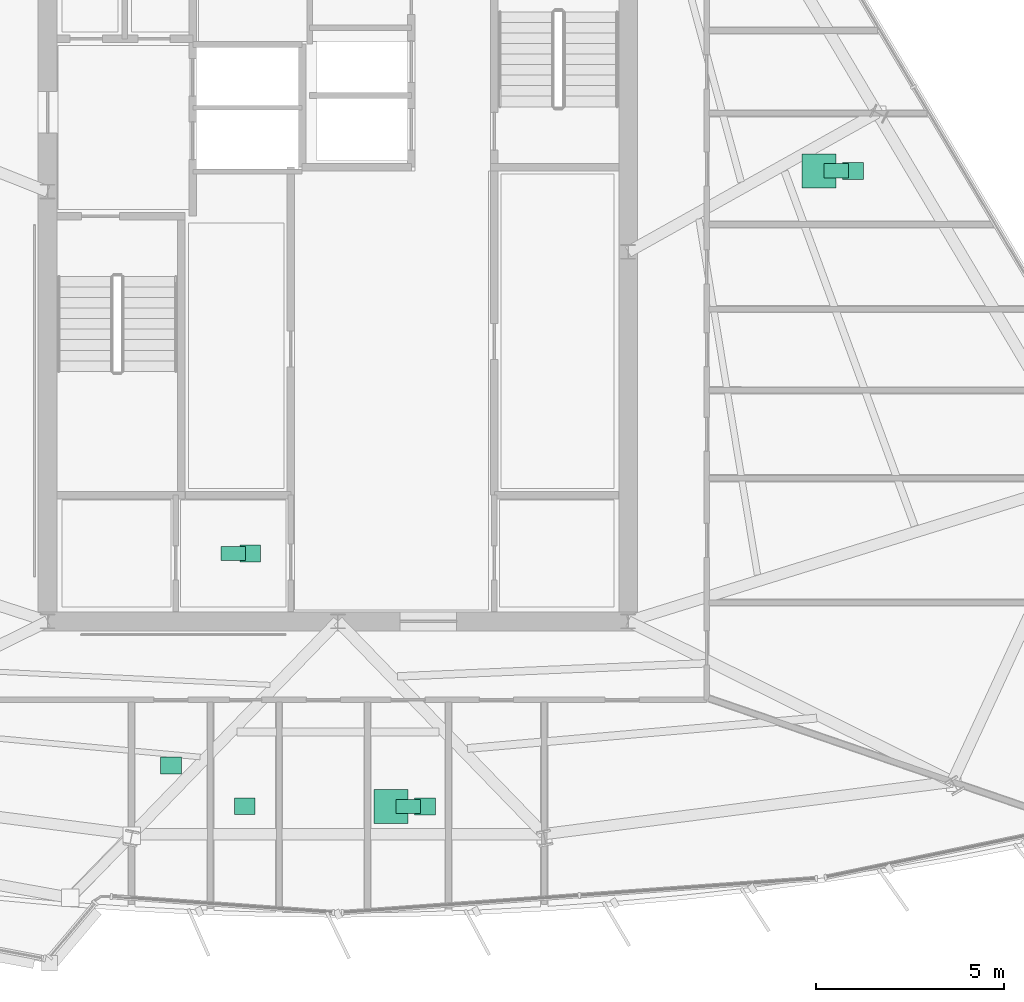
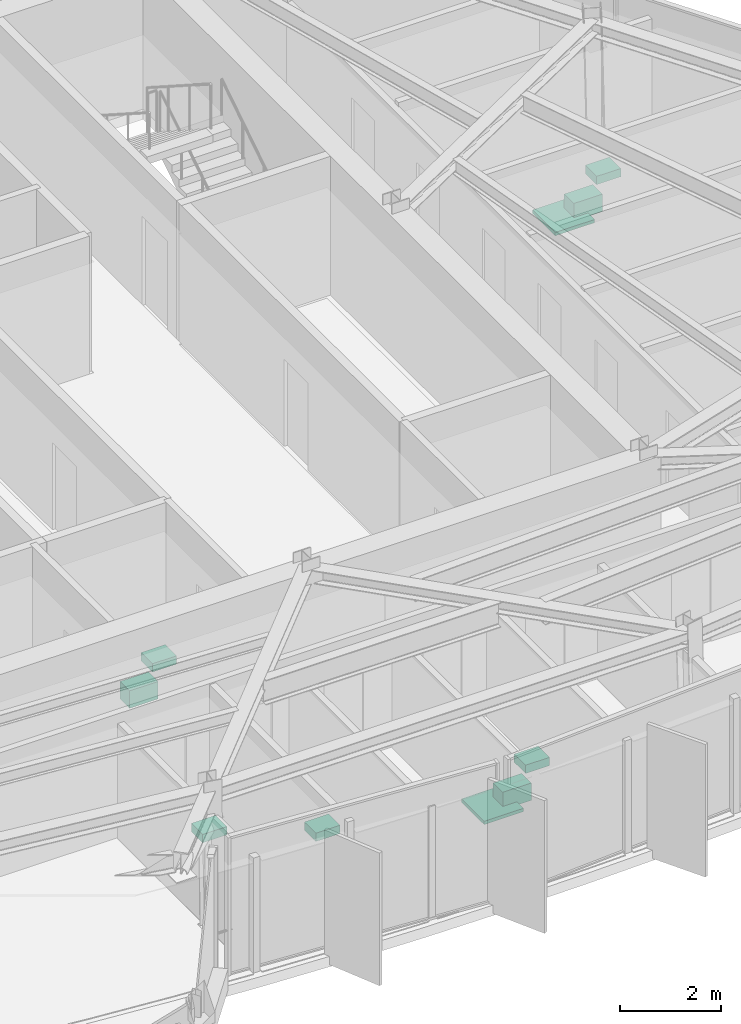
# One storey, part 14 of 14: 10 sanitary terminals.
"""IFC4 building model written with IfcOpenShell, lengths in metres."""

from ifc_helpers import new_model, si_unit, direction, frame, origin, origin_2d, place, context, subcontext, project, spatial, rectangle, extrude, material, type_object, element, save


model = new_model("IFC4")

# Units and contexts
model_context = context("Model", 3, precision=1e-05, world=origin(), true_north=direction((0.0, 1.0)))
body_context = subcontext(model_context, "Body", "Model", "MODEL_VIEW")
ifc_project = project(units=[si_unit("LENGTHUNIT", "METRE"), si_unit("AREAUNIT", "SQUARE_METRE"), si_unit("VOLUMEUNIT", "CUBIC_METRE"), si_unit("PLANEANGLEUNIT", "RADIAN"), si_unit("MASSUNIT", "GRAM", prefix="KILO")], contexts=[model_context])

# Site, building, storey
site_placement = place(None, origin())
site = spatial("IfcSite", under=ifc_project, at=site_placement, CompositionType="ELEMENT")
building_placement = place(site_placement, origin())
building = spatial("IfcBuilding", under=site, at=building_placement, Name="Savorim Split Tower", CompositionType="ELEMENT")
storey_placement = place(building_placement, frame((0.0, 0.0, 227.10009765625)))
storey = spatial("IfcBuildingStorey", under=building, at=storey_placement, Name="L60", CompositionType="ELEMENT", Elevation=227.10009765625)

# Sanitary terminals
ifc_material = material(Name="Vitreous China Sanitaryware")
sanitary_terminal_type_1 = type_object("IfcSanitaryTerminalType", Name="SAN-SHW-900", PredefinedType="SHOWER", material=ifc_material)
for number, where, z_axis, x_axis, name in (
    (1, (1.41015625, -14.3115234375, -0.000244140625), (0.0, 0.0, 1.0), (1.0, 0.0, 0.0), "L60 Shared Bathroom Shower"),
    (2, (12.764892578125, 2.54931640625, -0.000244140625), (0.0, 0.0, 1.0), (1.0, 0.0, 0.0), "L60 Shared Bathroom Shower"),
):
    element("IfcSanitaryTerminal", number, at=place(storey_placement, frame(where, z_axis=z_axis, x_axis=x_axis)), inside=storey, type_object=sanitary_terminal_type_1, Name=name, PredefinedType="SHOWER", context=body_context, shape_type="SweptSolid", body=[
        extrude(rectangle(XDim=0.89990234375, YDim=0.89990234375, at=origin_2d()), origin(), (0.0, 0.0, 1.0), 0.080078125),
    ])
sanitary_terminal_type_2 = type_object("IfcSanitaryTerminalType", Name="SAN-WC-PAN", PredefinedType="TOILETPAN", material=ifc_material)
for number, where, z_axis, x_axis, name in (
    (3, (-2.77490234375, -7.60009765625, 0.0), (0.0, 0.0, 1.0), (1.0, 0.0, 0.0), "L60 Accessible WC WC Pan"),
    (4, (1.860107421875, -14.3115234375, 0.0), (0.0, 0.0, 1.0), (1.0, 0.0, 0.0), "L60 Shared Bathroom WC Pan"),
    (5, (13.21484375, 2.54931640625, 0.0), (0.0, 0.0, 1.0), (1.0, 0.0, 0.0), "L60 Shared Bathroom WC Pan"),
):
    element("IfcSanitaryTerminal", number, at=place(storey_placement, frame(where, z_axis=z_axis, x_axis=x_axis)), inside=storey, type_object=sanitary_terminal_type_2, Name=name, PredefinedType="TOILETPAN", context=body_context, shape_type="SweptSolid", body=[
        extrude(rectangle(XDim=0.64990234375, YDim=0.3798828125, at=origin_2d()), origin(), (0.0, 0.0, 1.0), 0.419921875),
    ])
sanitary_terminal_type_3 = type_object("IfcSanitaryTerminalType", Name="SAN-WHB-550", PredefinedType="WASHHANDBASIN", material=ifc_material)
for number, where, z_axis, x_axis, name in (
    (6, (-2.324951171875, -7.60009765625, 0.7197265625), (0.0, 0.0, 1.0), (1.0, 0.0, 0.0), "L60 Accessible WC Washhand Basin"),
    (7, (-4.42919921875, -13.226318359375, 0.75), (0.0, 0.0, 1.0), (1.0, 0.0, 0.0), "L60 Shared Kitchen Utility Sink"),
    (8, (-2.471435546875, -14.3046875, 0.75), (0.0, 0.0, 1.0), (1.0, 0.0, 0.0), "L60 Shared Kitchen Utility Sink"),
    (9, (2.31005859375, -14.3115234375, 0.7197265625), (0.0, 0.0, 1.0), (1.0, 0.0, 0.0), "L60 Shared Bathroom Washhand Basin"),
    (10, (13.664794921875, 2.54931640625, 0.7197265625), (0.0, 0.0, 1.0), (1.0, 0.0, 0.0), "L60 Shared Bathroom Washhand Basin"),
):
    element("IfcSanitaryTerminal", number, at=place(storey_placement, frame(where, z_axis=z_axis, x_axis=x_axis)), inside=storey, type_object=sanitary_terminal_type_3, Name=name, PredefinedType="WASHHANDBASIN", context=body_context, shape_type="SweptSolid", body=[
        extrude(rectangle(XDim=0.550048828125, YDim=0.449951171875, at=origin_2d()), origin(), (0.0, 0.0, 1.0), 0.199951171875),
    ])

save(model, "model.ifc")
